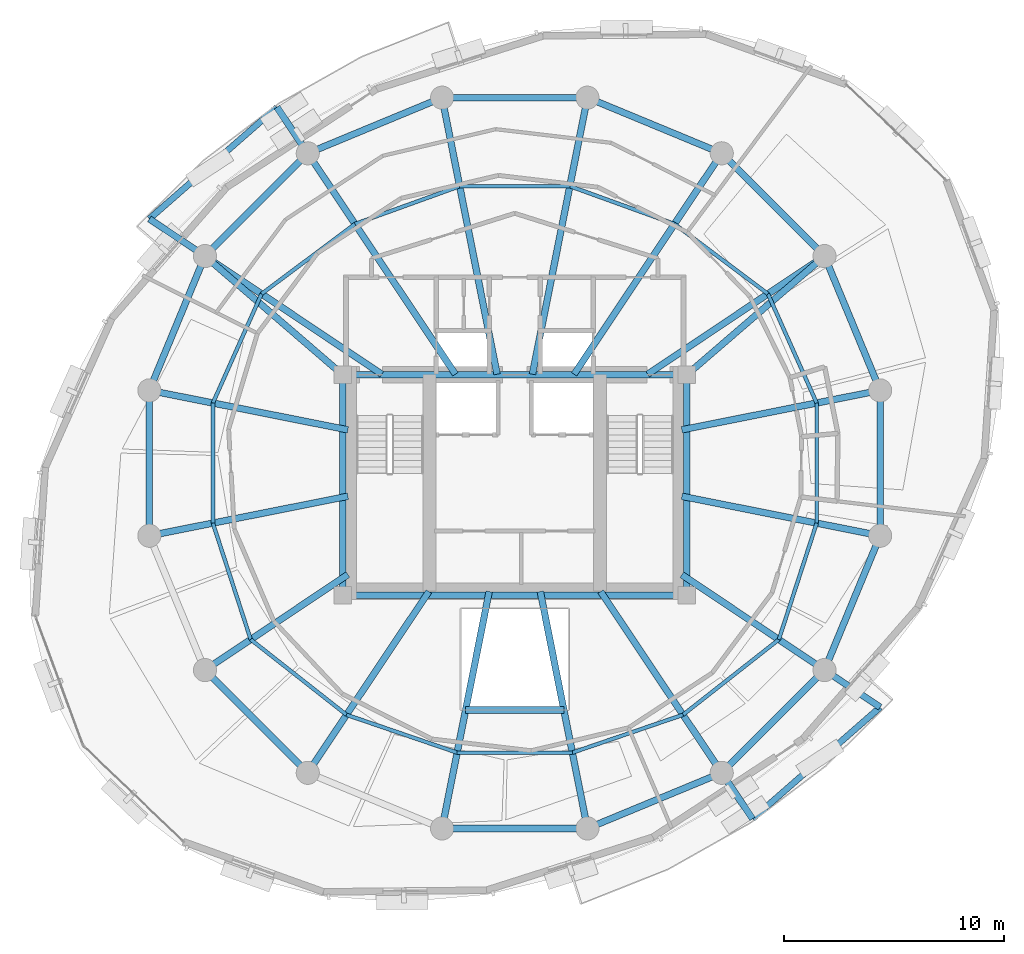
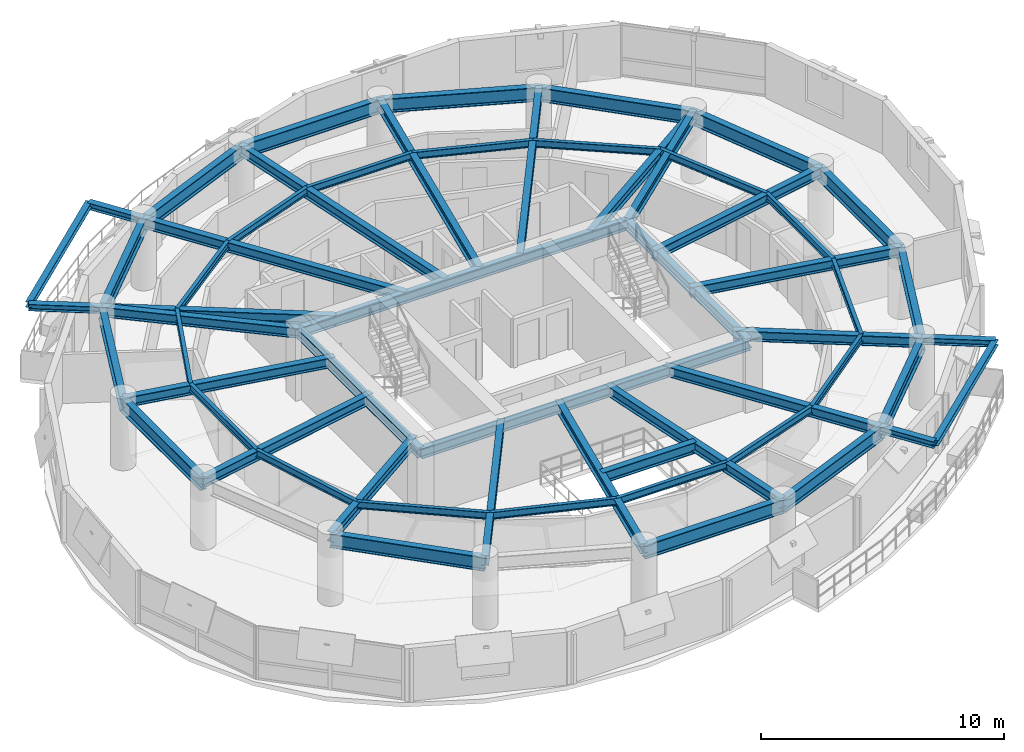
# One storey, part 5 of 12: 59 beams.
"""IFC4 building model written with IfcOpenShell, lengths in metres."""

from ifc_helpers import new_model, si_unit, direction, frame, origin, origin_2d, place, context, subcontext, project, spatial, i_section, extrude, material, material_profile, profile_set, type_object, element, save


model = new_model("IFC4")

# Units and contexts
model_context = context("Model", 3, precision=1e-05, world=origin(), true_north=direction((0.0, 1.0)))
body_context = subcontext(model_context, "Body", "Model", "MODEL_VIEW")
ifc_project = project(units=[si_unit("LENGTHUNIT", "METRE"), si_unit("AREAUNIT", "SQUARE_METRE"), si_unit("VOLUMEUNIT", "CUBIC_METRE"), si_unit("PLANEANGLEUNIT", "RADIAN"), si_unit("MASSUNIT", "GRAM", prefix="KILO"), si_unit("THERMODYNAMICTEMPERATUREUNIT", "KELVIN"), si_unit("POWERUNIT", "WATT")], contexts=[model_context])

# Site, building, storey
site_placement = place(None, origin())
site = spatial("IfcSite", under=ifc_project, at=site_placement, CompositionType="ELEMENT")
building_placement = place(site_placement, origin())
building = spatial("IfcBuilding", under=site, at=building_placement, Name="Ocrelia Relay Tower", CompositionType="ELEMENT")
storey_placement = place(building_placement, frame((0.0, 0.0, 173.60009765625)))
storey = spatial("IfcBuildingStorey", under=building, at=storey_placement, Name="L41", CompositionType="ELEMENT", Elevation=173.60009765625)

# Beams
ifc_material = material(Name="Steel S355", Category="steel")
ifc_material_profile_1 = material_profile(ifc_material, i_section(OverallWidth=0.280029296875, OverallDepth=0.27001953125, WebThickness=0.008056640625, FlangeThickness=0.012939453125, FilletRadius=0.02392578125, at=origin_2d()), Name="HEA 280")
ifc_profile_set_1 = profile_set([ifc_material_profile_1], Name="Steel S355")
beam_type_1 = type_object("IfcBeamType", Name="BM-HEA280", PredefinedType="BEAM", material=ifc_profile_set_1)
for number, where, z_axis, x_axis, name in (
    (1, (23.21435546875, 42.141845703125, 3.244873046875), (-0.752671039035, -0.658396770191, 0.0), (0.658396770191, -0.752671039035, 0.0), "L42 Balcony Edge Trimmer Beam B1"),
    (2, (44.78564453125, 9.858154296875, 3.244873046875), (0.752671039035, 0.658396770191, 0.0), (-0.658396770191, 0.752671039035, 0.0), "L42 Balcony Edge Trimmer Beam B2"),
):
    element("IfcBeam", number, at=place(storey_placement, frame(where, z_axis=z_axis, x_axis=x_axis)), inside=storey, type_object=beam_type_1, Name=name, PredefinedType="BEAM", context=body_context, shape_type="SweptSolid", body=[
        extrude(i_section(OverallWidth=0.280029296875, OverallDepth=0.27001953125, WebThickness=0.008056640625, FlangeThickness=0.012939453125, FilletRadius=0.02392578125, at=origin_2d()), origin(), (0.0, 0.0, 1.0), 7.69384765625),
    ])
ifc_material_profile_2 = material_profile(ifc_material, i_section(OverallWidth=0.300048828125, OverallDepth=0.330078125, WebThickness=0.009521484375, FlangeThickness=0.0166015625, FilletRadius=0.027099609375, at=origin_2d()), Name="HEA 340")
ifc_profile_set_2 = profile_set([ifc_material_profile_2], Name="Steel S355")
beam_type_2 = type_object("IfcBeamType", Name="BM-HEA340", PredefinedType="BEAM", material=ifc_profile_set_2)
beam_1_placement = place(storey_placement, frame((24.61083984375, 40.0517578125, 3.21484375), z_axis=(-0.555551611961, 0.831482054195, 0.0), x_axis=(-0.831482054195, -0.555551611961, 0.0)))
element("IfcBeam", 3, at=beam_1_placement, inside=storey, type_object=beam_type_2, Name="L42 Balcony Cantilever Beam B1-1", PredefinedType="BEAM", context=body_context, shape_type="SweptSolid", body=[
    extrude(i_section(OverallWidth=0.300048828125, OverallDepth=0.330078125, WebThickness=0.009521484375, FlangeThickness=0.0166015625, FilletRadius=0.027099609375, at=origin_2d()), origin(), (0.0, 0.0, 1.0), 2.513671875),
])
beam_2_placement = place(storey_placement, frame((19.9482421875, 35.38916015625, 3.21484375), z_axis=(-0.831480882903, 0.555553365003, 0.0), x_axis=(-0.555553365003, -0.831480882903, 0.0)))
element("IfcBeam", 4, at=beam_2_placement, inside=storey, type_object=beam_type_2, Name="L42 Balcony Cantilever Beam B1-2", PredefinedType="BEAM", context=body_context, shape_type="SweptSolid", body=[
    extrude(i_section(OverallWidth=0.300048828125, OverallDepth=0.330078125, WebThickness=0.009521484375, FlangeThickness=0.0166015625, FilletRadius=0.027099609375, at=origin_2d()), origin(), (0.0, 0.0, 1.0), 3.03662109375),
])
beam_3_placement = place(storey_placement, frame((43.38916015625, 11.9482421875, 3.21484375), z_axis=(0.555551611961, -0.831482054195, 0.0), x_axis=(0.831482054195, 0.555551611961, 0.0)))
element("IfcBeam", 5, at=beam_3_placement, inside=storey, type_object=beam_type_2, Name="L42 Balcony Cantilever Beam B2-1", PredefinedType="BEAM", context=body_context, shape_type="SweptSolid", body=[
    extrude(i_section(OverallWidth=0.300048828125, OverallDepth=0.330078125, WebThickness=0.009521484375, FlangeThickness=0.0166015625, FilletRadius=0.027099609375, at=origin_2d()), origin(), (0.0, 0.0, 1.0), 2.513671875),
])
beam_4_placement = place(storey_placement, frame((48.0517578125, 16.61083984375, 3.21484375), z_axis=(0.831480882903, -0.555553365003, 0.0), x_axis=(0.555553365003, 0.831480882903, 0.0)))
element("IfcBeam", 6, at=beam_4_placement, inside=storey, type_object=beam_type_2, Name="L42 Balcony Cantilever Beam B2-2", PredefinedType="BEAM", context=body_context, shape_type="SweptSolid", body=[
    extrude(i_section(OverallWidth=0.300048828125, OverallDepth=0.330078125, WebThickness=0.009521484375, FlangeThickness=0.0166015625, FilletRadius=0.027099609375, at=origin_2d()), origin(), (0.0, 0.0, 1.0), 3.03662109375),
])
ifc_material_profile_3 = material_profile(ifc_material, i_section(OverallWidth=0.300048828125, OverallDepth=0.5, WebThickness=0.014404296875, FlangeThickness=0.028076171875, FilletRadius=0.027099609375, at=origin_2d()), Name="HEB 500")
ifc_profile_set_3 = profile_set([ifc_material_profile_3], Name="Steel S355")
beam_type_3 = type_object("IfcBeamType", Name="BM-HEB500", PredefinedType="BEAM", material=ifc_profile_set_3)
for number, where, z_axis, x_axis, name in (
    (7, (26.199951171875, 20.0, 3.1298828125), (1.0, 0.0, 0.0), (0.0, 1.0, 0.0), "L41 Core Pilaster Tie Beam S"),
    (8, (26.199951171875, 30.0, 3.1298828125), (1.0, 0.0, 0.0), (0.0, 1.0, 0.0), "L41 Core Pilaster Tie Beam N"),
):
    element("IfcBeam", number, at=place(storey_placement, frame(where, z_axis=z_axis, x_axis=x_axis)), inside=storey, type_object=beam_type_3, Name=name, PredefinedType="BEAM", context=body_context, shape_type="SweptSolid", body=[
        extrude(i_section(OverallWidth=0.300048828125, OverallDepth=0.5, WebThickness=0.014404296875, FlangeThickness=0.028076171875, FilletRadius=0.027099609375, at=origin_2d()), origin(), (0.0, 0.0, 1.0), 15.60009765625),
    ])
for number, where, z_axis, x_axis, name in (
    (9, (26.199951171875, 20.0, 3.1298828125), (0.0, 1.0, 0.0), (-1.0, 0.0, 0.0), "L41 Core Pilaster Tie Beam W"),
    (10, (41.800048828125, 20.0, 3.1298828125), (0.0, 1.0, 0.0), (-1.0, 0.0, 0.0), "L41 Core Pilaster Tie Beam E"),
):
    element("IfcBeam", number, at=place(storey_placement, frame(where, z_axis=z_axis, x_axis=x_axis)), inside=storey, type_object=beam_type_3, Name=name, PredefinedType="BEAM", context=body_context, shape_type="SweptSolid", body=[
        extrude(i_section(OverallWidth=0.300048828125, OverallDepth=0.5, WebThickness=0.014404296875, FlangeThickness=0.028076171875, FilletRadius=0.027099609375, at=origin_2d()), origin(), (0.0, 0.0, 1.0), 10.0),
    ])
beam_5_placement = place(storey_placement, frame((50.5751953125, 29.297119140625, 3.1298828125), z_axis=(-0.980783891197, -0.1950973059, 0.0), x_axis=(0.1950973059, -0.980783891197, 0.0)))
element("IfcBeam", 11, at=beam_5_placement, inside=storey, type_object=beam_type_3, Name="L41 Radial Floor Girder R01", PredefinedType="BEAM", context=body_context, shape_type="SweptSolid", body=[
    extrude(i_section(OverallWidth=0.300048828125, OverallDepth=0.5, WebThickness=0.014404296875, FlangeThickness=0.028076171875, FilletRadius=0.027099609375, at=origin_2d()), origin(), (0.0, 0.0, 1.0), 9.17138671875),
])
beam_6_placement = place(storey_placement, frame((48.0517578125, 35.38916015625, 3.1298828125), z_axis=(-0.831469666235, -0.555570152305, 0.0), x_axis=(0.555570152305, -0.831469666235, 0.0)))
element("IfcBeam", 12, at=beam_6_placement, inside=storey, type_object=beam_type_3, Name="L41 Radial Floor Girder R02", PredefinedType="BEAM", context=body_context, shape_type="SweptSolid", body=[
    extrude(i_section(OverallWidth=0.300048828125, OverallDepth=0.5, WebThickness=0.014404296875, FlangeThickness=0.028076171875, FilletRadius=0.027099609375, at=origin_2d()), origin(), (0.0, 0.0, 1.0), 9.646240234375),
])
beam_7_placement = place(storey_placement, frame((48.0517578125, 35.38916015625, 3.1298828125), z_axis=(-0.757424589403, -0.652922653434, 0.0), x_axis=(0.652922653434, -0.757424589403, 0.0)))
element("IfcBeam", 13, at=beam_7_placement, inside=storey, type_object=beam_type_3, Name="L41 Core Pilaster Frame Tie Beam PT02", PredefinedType="BEAM", context=body_context, shape_type="SweptSolid", body=[
    extrude(i_section(OverallWidth=0.300048828125, OverallDepth=0.5, WebThickness=0.014404296875, FlangeThickness=0.028076171875, FilletRadius=0.027099609375, at=origin_2d()), origin(), (0.0, 0.0, 1.0), 8.25390625),
])
beam_8_placement = place(storey_placement, frame((43.38916015625, 40.0517578125, 3.1298828125), z_axis=(-0.55556932408, -0.831470219636, 0.0), x_axis=(0.831470219636, -0.55556932408, 0.0)))
element("IfcBeam", 14, at=beam_8_placement, inside=storey, type_object=beam_type_3, Name="L41 Radial Floor Girder R03", PredefinedType="BEAM", context=body_context, shape_type="SweptSolid", body=[
    extrude(i_section(OverallWidth=0.300048828125, OverallDepth=0.5, WebThickness=0.014404296875, FlangeThickness=0.028076171875, FilletRadius=0.027099609375, at=origin_2d()), origin(), (0.0, 0.0, 1.0), 12.052978515625),
])
for number, where, z_axis, x_axis, name in (
    (15, (37.297119140625, 42.5751953125, 3.1298828125), (-0.195106626135, -0.980782037171, 0.0), (0.980782037171, -0.195106626135, 0.0), "L41 Radial Floor Girder R04"),
    (16, (30.702880859375, 42.5751953125, 3.1298828125), (0.195106626135, -0.980782037171, 0.0), (0.980782037171, 0.195106626135, 0.0), "L41 Radial Floor Girder R05"),
):
    element("IfcBeam", number, at=place(storey_placement, frame(where, z_axis=z_axis, x_axis=x_axis)), inside=storey, type_object=beam_type_3, Name=name, PredefinedType="BEAM", context=body_context, shape_type="SweptSolid", body=[
        extrude(i_section(OverallWidth=0.300048828125, OverallDepth=0.5, WebThickness=0.014404296875, FlangeThickness=0.028076171875, FilletRadius=0.027099609375, at=origin_2d()), origin(), (0.0, 0.0, 1.0), 12.791015625),
    ])
beam_9_placement = place(storey_placement, frame((24.61083984375, 40.0517578125, 3.1298828125), z_axis=(0.55556932408, -0.831470219636, 0.0), x_axis=(0.831470219636, 0.55556932408, 0.0)))
element("IfcBeam", 17, at=beam_9_placement, inside=storey, type_object=beam_type_3, Name="L41 Radial Floor Girder R06", PredefinedType="BEAM", context=body_context, shape_type="SweptSolid", body=[
    extrude(i_section(OverallWidth=0.300048828125, OverallDepth=0.5, WebThickness=0.014404296875, FlangeThickness=0.028076171875, FilletRadius=0.027099609375, at=origin_2d()), origin(), (0.0, 0.0, 1.0), 12.052978515625),
])
beam_10_placement = place(storey_placement, frame((19.9482421875, 35.38916015625, 3.1298828125), z_axis=(0.831469666235, -0.555570152305, 0.0), x_axis=(0.555570152305, 0.831469666235, 0.0)))
element("IfcBeam", 18, at=beam_10_placement, inside=storey, type_object=beam_type_3, Name="L41 Radial Floor Girder R07", PredefinedType="BEAM", context=body_context, shape_type="SweptSolid", body=[
    extrude(i_section(OverallWidth=0.300048828125, OverallDepth=0.5, WebThickness=0.014404296875, FlangeThickness=0.028076171875, FilletRadius=0.027099609375, at=origin_2d()), origin(), (0.0, 0.0, 1.0), 9.646240234375),
])
beam_11_placement = place(storey_placement, frame((19.9482421875, 35.38916015625, 3.1298828125), z_axis=(0.757424589403, -0.652922653434, 0.0), x_axis=(0.652922653434, 0.757424589403, 0.0)))
element("IfcBeam", 19, at=beam_11_placement, inside=storey, type_object=beam_type_3, Name="L41 Core Pilaster Frame Tie Beam PT07", PredefinedType="BEAM", context=body_context, shape_type="SweptSolid", body=[
    extrude(i_section(OverallWidth=0.300048828125, OverallDepth=0.5, WebThickness=0.014404296875, FlangeThickness=0.028076171875, FilletRadius=0.027099609375, at=origin_2d()), origin(), (0.0, 0.0, 1.0), 8.25390625),
])
for number, where, z_axis, x_axis, name in (
    (20, (17.4248046875, 29.297119140625, 3.1298828125), (0.980784683446, -0.195093323097, 0.0), (0.195093323097, 0.980784683446, 0.0), "L41 Radial Floor Girder R08"),
    (21, (17.4248046875, 22.702880859375, 3.1298828125), (0.980784683446, 0.195093323097, 0.0), (-0.195093323097, 0.980784683446, 0.0), "L41 Radial Floor Girder R09"),
):
    element("IfcBeam", number, at=place(storey_placement, frame(where, z_axis=z_axis, x_axis=x_axis)), inside=storey, type_object=beam_type_3, Name=name, PredefinedType="BEAM", context=body_context, shape_type="SweptSolid", body=[
        extrude(i_section(OverallWidth=0.300048828125, OverallDepth=0.5, WebThickness=0.014404296875, FlangeThickness=0.028076171875, FilletRadius=0.027099609375, at=origin_2d()), origin(), (0.0, 0.0, 1.0), 9.181640625),
    ])
beam_12_placement = place(storey_placement, frame((19.9482421875, 16.61083984375, 3.1298828125), z_axis=(0.831462012084, 0.555581607382, 0.0), x_axis=(-0.555581607382, 0.831462012084, 0.0)))
element("IfcBeam", 22, at=beam_12_placement, inside=storey, type_object=beam_type_3, Name="L41 Radial Floor Girder R10", PredefinedType="BEAM", context=body_context, shape_type="SweptSolid", body=[
    extrude(i_section(OverallWidth=0.300048828125, OverallDepth=0.5, WebThickness=0.014404296875, FlangeThickness=0.028076171875, FilletRadius=0.027099609375, at=origin_2d()), origin(), (0.0, 0.0, 1.0), 7.795654296875),
])
beam_13_placement = place(storey_placement, frame((24.61083984375, 11.9482421875, 3.1298828125), z_axis=(0.555577337069, 0.831464865485, 0.0), x_axis=(-0.831464865485, 0.555577337069, 0.0)))
element("IfcBeam", 23, at=beam_13_placement, inside=storey, type_object=beam_type_3, Name="L41 Radial Floor Girder R11", PredefinedType="BEAM", context=body_context, shape_type="SweptSolid", body=[
    extrude(i_section(OverallWidth=0.300048828125, OverallDepth=0.5, WebThickness=0.014404296875, FlangeThickness=0.028076171875, FilletRadius=0.027099609375, at=origin_2d()), origin(), (0.0, 0.0, 1.0), 9.88818359375),
])
for number, where, z_axis, x_axis, name in (
    (24, (30.702880859375, 9.4248046875, 3.1298828125), (0.195100373206, 0.980783281044, 0.0), (-0.980783281044, 0.195100373206, 0.0), "L41 Radial Floor Girder R12"),
    (25, (37.297119140625, 9.4248046875, 3.1298828125), (-0.195100373206, 0.980783281044, 0.0), (-0.980783281044, -0.195100373206, 0.0), "L41 Radial Floor Girder R13"),
):
    element("IfcBeam", number, at=place(storey_placement, frame(where, z_axis=z_axis, x_axis=x_axis)), inside=storey, type_object=beam_type_3, Name=name, PredefinedType="BEAM", context=body_context, shape_type="SweptSolid", body=[
        extrude(i_section(OverallWidth=0.300048828125, OverallDepth=0.5, WebThickness=0.014404296875, FlangeThickness=0.028076171875, FilletRadius=0.027099609375, at=origin_2d()), origin(), (0.0, 0.0, 1.0), 10.95556640625),
    ])
beam_14_placement = place(storey_placement, frame((43.38916015625, 11.9482421875, 3.1298828125), z_axis=(-0.555577337069, 0.831464865485, 0.0), x_axis=(-0.831464865485, -0.555577337069, 0.0)))
element("IfcBeam", 26, at=beam_14_placement, inside=storey, type_object=beam_type_3, Name="L41 Radial Floor Girder R14", PredefinedType="BEAM", context=body_context, shape_type="SweptSolid", body=[
    extrude(i_section(OverallWidth=0.300048828125, OverallDepth=0.5, WebThickness=0.014404296875, FlangeThickness=0.028076171875, FilletRadius=0.027099609375, at=origin_2d()), origin(), (0.0, 0.0, 1.0), 9.88818359375),
])
beam_15_placement = place(storey_placement, frame((48.0517578125, 16.61083984375, 3.1298828125), z_axis=(-0.831456272244, 0.555590197309, 0.0), x_axis=(-0.555590197309, -0.831456272244, 0.0)))
element("IfcBeam", 27, at=beam_15_placement, inside=storey, type_object=beam_type_3, Name="L41 Radial Floor Girder R15", PredefinedType="BEAM", context=body_context, shape_type="SweptSolid", body=[
    extrude(i_section(OverallWidth=0.300048828125, OverallDepth=0.5, WebThickness=0.014404296875, FlangeThickness=0.028076171875, FilletRadius=0.027099609375, at=origin_2d()), origin(), (0.0, 0.0, 1.0), 7.783447265625),
])
beam_16_placement = place(storey_placement, frame((50.5751953125, 22.702880859375, 3.1298828125), z_axis=(-0.980783891197, 0.1950973059, 0.0), x_axis=(-0.1950973059, -0.980783891197, 0.0)))
element("IfcBeam", 28, at=beam_16_placement, inside=storey, type_object=beam_type_3, Name="L41 Radial Floor Girder R16", PredefinedType="BEAM", context=body_context, shape_type="SweptSolid", body=[
    extrude(i_section(OverallWidth=0.300048828125, OverallDepth=0.5, WebThickness=0.014404296875, FlangeThickness=0.028076171875, FilletRadius=0.027099609375, at=origin_2d()), origin(), (0.0, 0.0, 1.0), 9.17138671875),
])
ifc_material_profile_4 = material_profile(ifc_material, i_section(OverallWidth=0.300048828125, OverallDepth=0.550048828125, WebThickness=0.014892578125, FlangeThickness=0.029052734375, FilletRadius=0.027099609375, at=origin_2d()), Name="HEB 550")
ifc_profile_set_4 = profile_set([ifc_material_profile_4], Name="Steel S355")
beam_type_4 = type_object("IfcBeamType", Name="BM-HEB550", PredefinedType="BEAM", material=ifc_profile_set_4)
beam_17_placement = place(storey_placement, frame((31.772216796875, 14.800048828125, 3.10498046875), z_axis=(1.0, 0.0, 0.0), x_axis=(0.0, 1.0, 0.0)))
element("IfcBeam", 29, at=beam_17_placement, inside=storey, type_object=beam_type_4, Name="L41 Atrium South Trimmer Beam", PredefinedType="BEAM", context=body_context, shape_type="SweptSolid", body=[
    extrude(i_section(OverallWidth=0.300048828125, OverallDepth=0.550048828125, WebThickness=0.014892578125, FlangeThickness=0.029052734375, FilletRadius=0.027099609375, at=origin_2d()), origin(), (0.0, 0.0, 1.0), 4.45556640625),
])
ifc_material_profile_5 = material_profile(ifc_material, i_section(OverallWidth=0.300048828125, OverallDepth=0.699951171875, WebThickness=0.01708984375, FlangeThickness=0.031982421875, FilletRadius=0.027099609375, at=origin_2d()), Name="HEB 700")
ifc_profile_set_5 = profile_set([ifc_material_profile_5], Name="Steel S355")
beam_type_5 = type_object("IfcBeamType", Name="BM-HEB700", PredefinedType="BEAM", material=ifc_profile_set_5)
for number, where, z_axis, x_axis, name in (
    (30, (50.5751953125, 29.297119140625, 3.02978515625), (-0.382687508402, 0.923877844151, 0.0), (-0.923877844151, -0.382687508402, 0.0), "L41 Perimeter Spandrel Beam S01"),
    (31, (48.0517578125, 35.38916015625, 3.02978515625), (-0.707106781187, 0.707106781187, 0.0), (-0.707106781187, -0.707106781187, 0.0), "L41 Perimeter Spandrel Beam S02"),
    (32, (43.38916015625, 40.0517578125, 3.02978515625), (-0.923877844151, 0.382687508402, 0.0), (-0.382687508402, -0.923877844151, 0.0), "L41 Perimeter Spandrel Beam S03"),
):
    element("IfcBeam", number, at=place(storey_placement, frame(where, z_axis=z_axis, x_axis=x_axis)), inside=storey, type_object=beam_type_5, Name=name, PredefinedType="BEAM", context=body_context, shape_type="SweptSolid", body=[
        extrude(i_section(OverallWidth=0.300048828125, OverallDepth=0.699951171875, WebThickness=0.01708984375, FlangeThickness=0.031982421875, FilletRadius=0.027099609375, at=origin_2d()), origin(), (0.0, 0.0, 1.0), 6.593994140625),
    ])
beam_18_placement = place(storey_placement, frame((37.297119140625, 42.5751953125, 3.02978515625), z_axis=(-1.0, 0.0, 0.0), x_axis=(0.0, -1.0, 0.0)))
element("IfcBeam", 33, at=beam_18_placement, inside=storey, type_object=beam_type_5, Name="L41 Perimeter Spandrel Beam S04", PredefinedType="BEAM", context=body_context, shape_type="SweptSolid", body=[
    extrude(i_section(OverallWidth=0.300048828125, OverallDepth=0.699951171875, WebThickness=0.01708984375, FlangeThickness=0.031982421875, FilletRadius=0.027099609375, at=origin_2d()), origin(), (0.0, 0.0, 1.0), 6.59423828125),
])
for number, where, z_axis, x_axis, name in (
    (34, (30.702880859375, 42.5751953125, 3.02978515625), (-0.923877844151, -0.382687508402, 0.0), (0.382687508402, -0.923877844151, 0.0), "L41 Perimeter Spandrel Beam S05"),
    (35, (24.61083984375, 40.0517578125, 3.02978515625), (-0.707106781187, -0.707106781187, 0.0), (0.707106781187, -0.707106781187, 0.0), "L41 Perimeter Spandrel Beam S06"),
    (36, (19.9482421875, 35.38916015625, 3.02978515625), (-0.382687508402, -0.923877844151, 0.0), (0.923877844151, -0.382687508402, 0.0), "L41 Perimeter Spandrel Beam S07"),
):
    element("IfcBeam", number, at=place(storey_placement, frame(where, z_axis=z_axis, x_axis=x_axis)), inside=storey, type_object=beam_type_5, Name=name, PredefinedType="BEAM", context=body_context, shape_type="SweptSolid", body=[
        extrude(i_section(OverallWidth=0.300048828125, OverallDepth=0.699951171875, WebThickness=0.01708984375, FlangeThickness=0.031982421875, FilletRadius=0.027099609375, at=origin_2d()), origin(), (0.0, 0.0, 1.0), 6.593994140625),
    ])
beam_19_placement = place(storey_placement, frame((17.4248046875, 29.297119140625, 3.02978515625), z_axis=(0.0, -1.0, 0.0), x_axis=(1.0, 0.0, 0.0)))
element("IfcBeam", 37, at=beam_19_placement, inside=storey, type_object=beam_type_5, Name="L41 Perimeter Spandrel Beam S08", PredefinedType="BEAM", context=body_context, shape_type="SweptSolid", body=[
    extrude(i_section(OverallWidth=0.300048828125, OverallDepth=0.699951171875, WebThickness=0.01708984375, FlangeThickness=0.031982421875, FilletRadius=0.027099609375, at=origin_2d()), origin(), (0.0, 0.0, 1.0), 6.59423828125),
])
beam_20_placement = place(storey_placement, frame((19.9482421875, 16.61083984375, 3.02978515625), z_axis=(0.707106781187, -0.707106781187, 0.0), x_axis=(0.707106781187, 0.707106781187, 0.0)))
element("IfcBeam", 38, at=beam_20_placement, inside=storey, type_object=beam_type_5, Name="L41 Perimeter Spandrel Beam S10", PredefinedType="BEAM", context=body_context, shape_type="SweptSolid", body=[
    extrude(i_section(OverallWidth=0.300048828125, OverallDepth=0.699951171875, WebThickness=0.01708984375, FlangeThickness=0.031982421875, FilletRadius=0.027099609375, at=origin_2d()), origin(), (0.0, 0.0, 1.0), 6.593994140625),
])
beam_21_placement = place(storey_placement, frame((30.702880859375, 9.4248046875, 3.02978515625), z_axis=(1.0, 0.0, 0.0), x_axis=(0.0, 1.0, 0.0)))
element("IfcBeam", 39, at=beam_21_placement, inside=storey, type_object=beam_type_5, Name="L41 Perimeter Spandrel Beam S12", PredefinedType="BEAM", context=body_context, shape_type="SweptSolid", body=[
    extrude(i_section(OverallWidth=0.300048828125, OverallDepth=0.699951171875, WebThickness=0.01708984375, FlangeThickness=0.031982421875, FilletRadius=0.027099609375, at=origin_2d()), origin(), (0.0, 0.0, 1.0), 6.59423828125),
])
for number, where, z_axis, x_axis, name in (
    (40, (37.297119140625, 9.4248046875, 3.02978515625), (0.923877844151, 0.382687508402, 0.0), (-0.382687508402, 0.923877844151, 0.0), "L41 Perimeter Spandrel Beam S13"),
    (41, (43.38916015625, 11.9482421875, 3.02978515625), (0.707106781187, 0.707106781187, 0.0), (-0.707106781187, 0.707106781187, 0.0), "L41 Perimeter Spandrel Beam S14"),
    (42, (48.0517578125, 16.61083984375, 3.02978515625), (0.382687508402, 0.923877844151, 0.0), (-0.923877844151, 0.382687508402, 0.0), "L41 Perimeter Spandrel Beam S15"),
):
    element("IfcBeam", number, at=place(storey_placement, frame(where, z_axis=z_axis, x_axis=x_axis)), inside=storey, type_object=beam_type_5, Name=name, PredefinedType="BEAM", context=body_context, shape_type="SweptSolid", body=[
        extrude(i_section(OverallWidth=0.300048828125, OverallDepth=0.699951171875, WebThickness=0.01708984375, FlangeThickness=0.031982421875, FilletRadius=0.027099609375, at=origin_2d()), origin(), (0.0, 0.0, 1.0), 6.593994140625),
    ])
beam_22_placement = place(storey_placement, frame((50.5751953125, 22.702880859375, 3.02978515625), z_axis=(0.0, 1.0, 0.0), x_axis=(-1.0, 0.0, 0.0)))
element("IfcBeam", 43, at=beam_22_placement, inside=storey, type_object=beam_type_5, Name="L41 Perimeter Spandrel Beam S16", PredefinedType="BEAM", context=body_context, shape_type="SweptSolid", body=[
    extrude(i_section(OverallWidth=0.300048828125, OverallDepth=0.699951171875, WebThickness=0.01708984375, FlangeThickness=0.031982421875, FilletRadius=0.027099609375, at=origin_2d()), origin(), (0.0, 0.0, 1.0), 6.59423828125),
])
ifc_material_profile_6 = material_profile(ifc_material, i_section(OverallWidth=0.169921875, OverallDepth=0.360107421875, WebThickness=0.008056640625, FlangeThickness=0.0126953125, FilletRadius=0.01806640625, at=origin_2d()), Name="IPE 360")
ifc_profile_set_6 = profile_set([ifc_material_profile_6], Name="Steel S355")
beam_type_6 = type_object("IfcBeamType", Name="BM-IPE360", PredefinedType="JOIST", material=ifc_profile_set_6)
beam_23_placement = place(storey_placement, frame((47.69677734375, 28.724365234375, 3.199951171875), z_axis=(-0.407938464853, 0.913009424318, 0.0), x_axis=(-0.913009424318, -0.407938464853, 0.0)))
element("IfcBeam", 44, at=beam_23_placement, inside=storey, type_object=beam_type_6, Name="L41 Secondary Floor Joist J01", PredefinedType="JOIST", context=body_context, shape_type="SweptSolid", body=[
    extrude(i_section(OverallWidth=0.169921875, OverallDepth=0.360107421875, WebThickness=0.008056640625, FlangeThickness=0.0126953125, FilletRadius=0.01806640625, at=origin_2d()), origin(), (0.0, 0.0, 1.0), 5.421630859375),
])
beam_24_placement = place(storey_placement, frame((45.485107421875, 33.67431640625, 3.199951171875), z_axis=(-0.800785247359, 0.598951573678, 0.0), x_axis=(-0.598951573678, -0.800785247359, 0.0)))
element("IfcBeam", 45, at=beam_24_placement, inside=storey, type_object=beam_type_6, Name="L41 Secondary Floor Joist J02", PredefinedType="JOIST", context=body_context, shape_type="SweptSolid", body=[
    extrude(i_section(OverallWidth=0.169921875, OverallDepth=0.360107421875, WebThickness=0.008056640625, FlangeThickness=0.0126953125, FilletRadius=0.01806640625, at=origin_2d()), origin(), (0.0, 0.0, 1.0), 5.293212890625),
])
beam_25_placement = place(storey_placement, frame((41.246337890625, 36.8447265625, 3.199951171875), z_axis=(-0.940453871246, 0.339921338046, 0.0), x_axis=(-0.339921338046, -0.940453871246, 0.0)))
element("IfcBeam", 46, at=beam_25_placement, inside=storey, type_object=beam_type_6, Name="L41 Secondary Floor Joist J03", PredefinedType="JOIST", context=body_context, shape_type="SweptSolid", body=[
    extrude(i_section(OverallWidth=0.169921875, OverallDepth=0.360107421875, WebThickness=0.008056640625, FlangeThickness=0.0126953125, FilletRadius=0.01806640625, at=origin_2d()), origin(), (0.0, 0.0, 1.0), 5.04833984375),
])
beam_26_placement = place(storey_placement, frame((36.49853515625, 38.560791015625, 3.199951171875), z_axis=(-1.0, 0.0, 0.0), x_axis=(0.0, -1.0, 0.0)))
element("IfcBeam", 47, at=beam_26_placement, inside=storey, type_object=beam_type_6, Name="L41 Secondary Floor Joist J04", PredefinedType="JOIST", context=body_context, shape_type="SweptSolid", body=[
    extrude(i_section(OverallWidth=0.169921875, OverallDepth=0.360107421875, WebThickness=0.008056640625, FlangeThickness=0.0126953125, FilletRadius=0.01806640625, at=origin_2d()), origin(), (0.0, 0.0, 1.0), 4.9970703125),
])
beam_27_placement = place(storey_placement, frame((31.50146484375, 38.560791015625, 3.199951171875), z_axis=(-0.940453871246, -0.339921338046, 0.0), x_axis=(0.339921338046, -0.940453871246, 0.0)))
element("IfcBeam", 48, at=beam_27_placement, inside=storey, type_object=beam_type_6, Name="L41 Secondary Floor Joist J05", PredefinedType="JOIST", context=body_context, shape_type="SweptSolid", body=[
    extrude(i_section(OverallWidth=0.169921875, OverallDepth=0.360107421875, WebThickness=0.008056640625, FlangeThickness=0.0126953125, FilletRadius=0.01806640625, at=origin_2d()), origin(), (0.0, 0.0, 1.0), 5.04833984375),
])
beam_28_placement = place(storey_placement, frame((26.753662109375, 36.8447265625, 3.199951171875), z_axis=(-0.800785247359, -0.598951573678, 0.0), x_axis=(0.598951573678, -0.800785247359, 0.0)))
element("IfcBeam", 49, at=beam_28_placement, inside=storey, type_object=beam_type_6, Name="L41 Secondary Floor Joist J06", PredefinedType="JOIST", context=body_context, shape_type="SweptSolid", body=[
    extrude(i_section(OverallWidth=0.169921875, OverallDepth=0.360107421875, WebThickness=0.008056640625, FlangeThickness=0.0126953125, FilletRadius=0.01806640625, at=origin_2d()), origin(), (0.0, 0.0, 1.0), 5.293212890625),
])
beam_29_placement = place(storey_placement, frame((22.514892578125, 33.67431640625, 3.199951171875), z_axis=(-0.407416785709, -0.913242335157, 0.0), x_axis=(0.913242335157, -0.407416785709, 0.0)))
element("IfcBeam", 50, at=beam_29_placement, inside=storey, type_object=beam_type_6, Name="L41 Secondary Floor Joist J07", PredefinedType="JOIST", context=body_context, shape_type="SweptSolid", body=[
    extrude(i_section(OverallWidth=0.169921875, OverallDepth=0.360107421875, WebThickness=0.008056640625, FlangeThickness=0.0126953125, FilletRadius=0.01806640625, at=origin_2d()), origin(), (0.0, 0.0, 1.0), 5.420654296875),
])
beam_30_placement = place(storey_placement, frame((20.306396484375, 28.723876953125, 3.199951171875), z_axis=(0.0, -1.0, 0.0), x_axis=(1.0, 0.0, 0.0)))
element("IfcBeam", 51, at=beam_30_placement, inside=storey, type_object=beam_type_6, Name="L41 Secondary Floor Joist J08", PredefinedType="JOIST", context=body_context, shape_type="SweptSolid", body=[
    extrude(i_section(OverallWidth=0.169921875, OverallDepth=0.360107421875, WebThickness=0.008056640625, FlangeThickness=0.0126953125, FilletRadius=0.01806640625, at=origin_2d()), origin(), (0.0, 0.0, 1.0), 5.44775390625),
])
beam_31_placement = place(storey_placement, frame((20.306396484375, 23.276123046875, 3.199951171875), z_axis=(0.309133805786, -0.951018554036, 0.0), x_axis=(0.951018554036, 0.309133805786, 0.0)))
element("IfcBeam", 52, at=beam_31_placement, inside=storey, type_object=beam_type_6, Name="L41 Secondary Floor Joist J09", PredefinedType="JOIST", context=body_context, shape_type="SweptSolid", body=[
    extrude(i_section(OverallWidth=0.169921875, OverallDepth=0.360107421875, WebThickness=0.008056640625, FlangeThickness=0.0126953125, FilletRadius=0.01806640625, at=origin_2d()), origin(), (0.0, 0.0, 1.0), 5.55126953125),
])
beam_32_placement = place(storey_placement, frame((22.0224609375, 17.996826171875, 3.199951171875), z_axis=(0.786083859045, -0.618119864224, 0.0), x_axis=(0.618119864224, 0.786083859045, 0.0)))
element("IfcBeam", 53, at=beam_32_placement, inside=storey, type_object=beam_type_6, Name="L41 Secondary Floor Joist J10", PredefinedType="JOIST", context=body_context, shape_type="SweptSolid", body=[
    extrude(i_section(OverallWidth=0.169921875, OverallDepth=0.360107421875, WebThickness=0.008056640625, FlangeThickness=0.0126953125, FilletRadius=0.01806640625, at=origin_2d()), origin(), (0.0, 0.0, 1.0), 5.529296875),
])
beam_33_placement = place(storey_placement, frame((26.368896484375, 14.5791015625, 3.199951171875), z_axis=(0.946215174492, -0.323538009454, 0.0), x_axis=(0.323538009454, 0.946215174492, 0.0)))
element("IfcBeam", 54, at=beam_33_placement, inside=storey, type_object=beam_type_6, Name="L41 Secondary Floor Joist J11", PredefinedType="JOIST", context=body_context, shape_type="SweptSolid", body=[
    extrude(i_section(OverallWidth=0.169921875, OverallDepth=0.360107421875, WebThickness=0.008056640625, FlangeThickness=0.0126953125, FilletRadius=0.01806640625, at=origin_2d()), origin(), (0.0, 0.0, 1.0), 5.30322265625),
])
beam_34_placement = place(storey_placement, frame((31.386962890625, 12.86328125, 3.199951171875), z_axis=(1.0, 0.0, 0.0), x_axis=(0.0, 1.0, 0.0)))
element("IfcBeam", 55, at=beam_34_placement, inside=storey, type_object=beam_type_6, Name="L41 Secondary Floor Joist J12", PredefinedType="JOIST", context=body_context, shape_type="SweptSolid", body=[
    extrude(i_section(OverallWidth=0.169921875, OverallDepth=0.360107421875, WebThickness=0.008056640625, FlangeThickness=0.0126953125, FilletRadius=0.01806640625, at=origin_2d()), origin(), (0.0, 0.0, 1.0), 5.22607421875),
])
beam_35_placement = place(storey_placement, frame((36.613037109375, 12.86328125, 3.199951171875), z_axis=(0.946215174492, 0.323538009454, 0.0), x_axis=(-0.323538009454, 0.946215174492, 0.0)))
element("IfcBeam", 56, at=beam_35_placement, inside=storey, type_object=beam_type_6, Name="L41 Secondary Floor Joist J13", PredefinedType="JOIST", context=body_context, shape_type="SweptSolid", body=[
    extrude(i_section(OverallWidth=0.169921875, OverallDepth=0.360107421875, WebThickness=0.008056640625, FlangeThickness=0.0126953125, FilletRadius=0.01806640625, at=origin_2d()), origin(), (0.0, 0.0, 1.0), 5.30322265625),
])
beam_36_placement = place(storey_placement, frame((41.631103515625, 14.5791015625, 3.199951171875), z_axis=(0.78649600233, 0.617595367793, 0.0), x_axis=(-0.617595367793, 0.78649600233, 0.0)))
element("IfcBeam", 57, at=beam_36_placement, inside=storey, type_object=beam_type_6, Name="L41 Secondary Floor Joist J14", PredefinedType="JOIST", context=body_context, shape_type="SweptSolid", body=[
    extrude(i_section(OverallWidth=0.169921875, OverallDepth=0.360107421875, WebThickness=0.008056640625, FlangeThickness=0.0126953125, FilletRadius=0.01806640625, at=origin_2d()), origin(), (0.0, 0.0, 1.0), 5.5302734375),
])
beam_37_placement = place(storey_placement, frame((45.980712890625, 17.99462890625, 3.199951171875), z_axis=(0.309043322978, 0.95104796121, 0.0), x_axis=(-0.95104796121, 0.309043322978, 0.0)))
element("IfcBeam", 58, at=beam_37_placement, inside=storey, type_object=beam_type_6, Name="L41 Secondary Floor Joist J15", PredefinedType="JOIST", context=body_context, shape_type="SweptSolid", body=[
    extrude(i_section(OverallWidth=0.169921875, OverallDepth=0.360107421875, WebThickness=0.008056640625, FlangeThickness=0.0126953125, FilletRadius=0.01806640625, at=origin_2d()), origin(), (0.0, 0.0, 1.0), 5.552734375),
])
beam_38_placement = place(storey_placement, frame((47.69677734375, 23.275634765625, 3.199951171875), z_axis=(0.0, 1.0, 0.0), x_axis=(-1.0, 0.0, 0.0)))
element("IfcBeam", 59, at=beam_38_placement, inside=storey, type_object=beam_type_6, Name="L41 Secondary Floor Joist J16", PredefinedType="JOIST", context=body_context, shape_type="SweptSolid", body=[
    extrude(i_section(OverallWidth=0.169921875, OverallDepth=0.360107421875, WebThickness=0.008056640625, FlangeThickness=0.0126953125, FilletRadius=0.01806640625, at=origin_2d()), origin(), (0.0, 0.0, 1.0), 5.44873046875),
])

save(model, "model.ifc")
